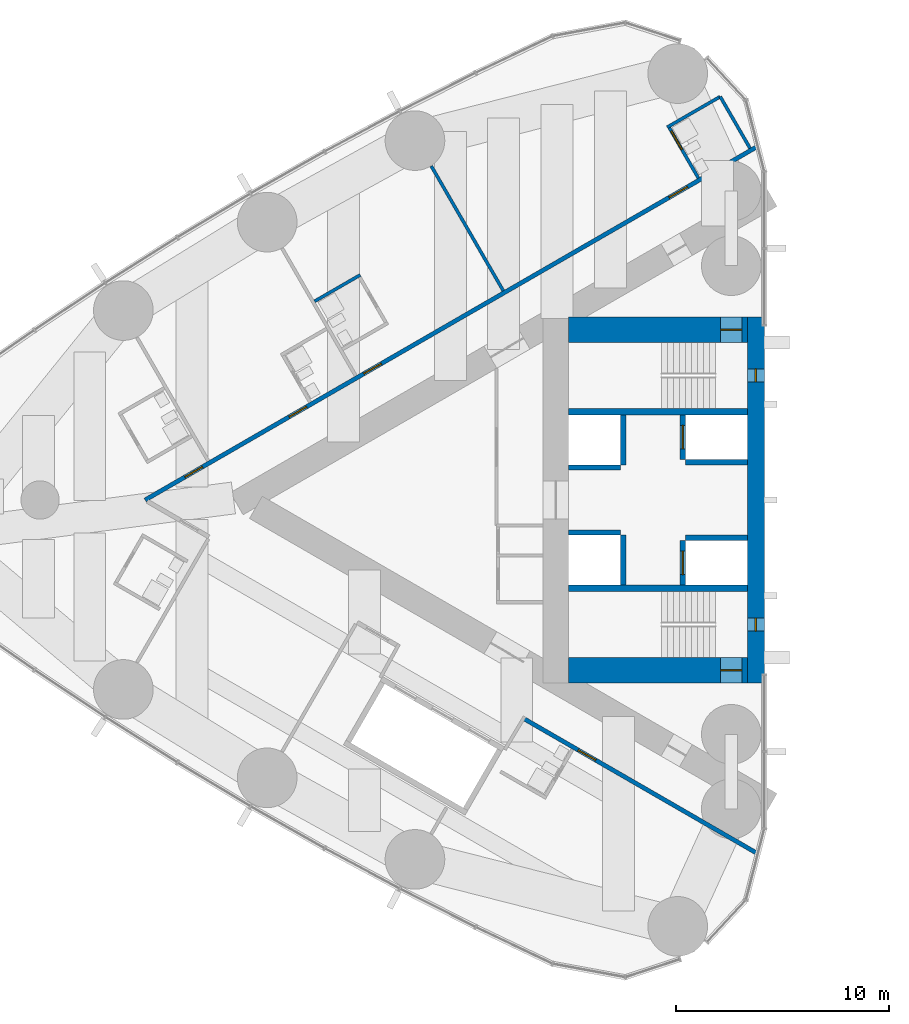
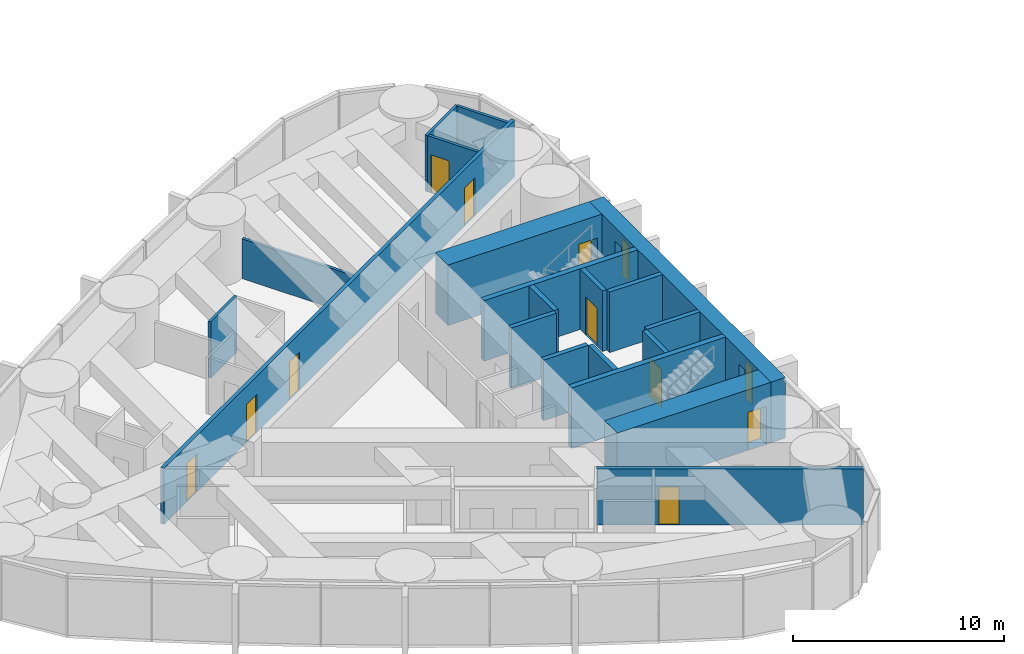
# One storey, part 13 of 19: 20 walls, 10 doors, 2 windows, 12 openings.
"""IFC4 building model written with IfcOpenShell, lengths in metres."""

from ifc_helpers import new_model, si_unit, direction, frame, frame_2d, origin, place, context, subcontext, project, spatial, rectangle, extrude, material, layer, layer_set, type_object, element, fill, save


model = new_model("IFC4")

# Units and contexts
model_context = context("Model", 3, precision=1e-05, world=origin(), true_north=direction((0.0, 1.0)))
body_context = subcontext(model_context, "Body", "Model", "MODEL_VIEW")
ifc_project = project(units=[si_unit("LENGTHUNIT", "METRE"), si_unit("AREAUNIT", "SQUARE_METRE"), si_unit("VOLUMEUNIT", "CUBIC_METRE"), si_unit("PLANEANGLEUNIT", "RADIAN"), si_unit("MASSUNIT", "GRAM", prefix="KILO")], contexts=[model_context])

# Site, building, storey
site_placement = place(None, origin())
site = spatial("IfcSite", under=ifc_project, at=site_placement, CompositionType="ELEMENT")
building_placement = place(site_placement, origin())
building = spatial("IfcBuilding", under=site, at=building_placement, Name="Lancet Gate Hotel", CompositionType="ELEMENT")
storey_placement = place(building_placement, frame((0.0, 0.0, 170.300048828125)))
storey = spatial("IfcBuildingStorey", under=building, at=storey_placement, Name="L45", CompositionType="ELEMENT", Elevation=170.300048828125)

# Wall
ifc_material_1 = material(Name="Moisture resistant board partition")
ifc_layer_1 = layer(ifc_material_1, 0.14990234375)
ifc_layer_set_1 = layer_set([ifc_layer_1], Name="Bathroom wall 150")
wall_type_1 = type_object("IfcWallType", Name="Bathroom wall 150", PredefinedType="PARTITIONING", material=ifc_layer_set_1)
wall_1_placement = place(storey_placement, frame((-29.56982421875, 18.936279296875, 0.0), z_axis=(0.0, 0.0, 1.0), x_axis=(-0.866018712932, -0.500011588718, 0.0)))
element("IfcWall", 1, at=wall_1_placement, inside=storey, type_object=wall_type_1, Name="T1 bathroom wall 150 L45", PredefinedType="PARTITIONING", context=body_context, shape_type="SweptSolid", body=[
    extrude(rectangle(XDim=2.875, YDim=0.14990234375, at=frame_2d((1.4375, 0.0))), origin(), (0.0, 0.0, 1.0), 3.25),
])

# Wall, opening, door
wall_2_placement = place(storey_placement, frame((-30.5947265625, 15.111328125, 0.0), z_axis=(0.0, 0.0, 1.0), x_axis=(-0.49998411664, 0.866034573852, 0.0)))
wall_2 = element("IfcWall", 2, at=wall_2_placement, inside=storey, type_object=wall_type_1, Name="T1 bathroom wall 150 L45", PredefinedType="PARTITIONING", context=body_context, shape_type="SweptSolid", body=[
    extrude(rectangle(XDim=2.7998046875, YDim=0.14990234375, at=frame_2d((1.39990234375, 0.0))), origin(), (0.0, 0.0, 1.0), 3.25),
])
opening_1_placement = place(wall_2_placement, frame((1.550048828125, 0.0, 0.0)))
opening_1 = element("IfcOpeningElement", 3, at=opening_1_placement, cuts=wall_2, Name="Opening 4501-B", PredefinedType="OPENING", context=body_context, shape_type="SweptSolid", body=[
    extrude(rectangle(XDim=1.0, YDim=2.199951171875, at=frame_2d((0.5, 1.10009765625))), frame((0.0, 0.0849609375, 0.0), z_axis=(0.0, -1.0, 0.0), x_axis=(1.0, 0.0, 0.0)), (0.0, 0.0, 1.0), 0.169921875),
])
ifc_material_2 = material(Name="Timber door set", Category="wood")
door_type_1 = type_object("IfcDoorType", Name="Accessible en-suite door 1000", OperationType="SINGLE_SWING_RIGHT", PredefinedType="DOOR", material=ifc_material_2)
door_1_placement = place(opening_1_placement, origin())
door_1 = element("IfcDoor", 4, at=door_1_placement, inside=storey, type_object=door_type_1, Name="4501-B", OperationType="SINGLE_SWING_RIGHT", OverallHeight=2.199951171875, OverallWidth=1.0, PredefinedType="DOOR", context=body_context, shape_type="SweptSolid", body=[
    extrude(rectangle(XDim=1.0, YDim=2.199951171875, at=frame_2d((0.5, 1.10009765625))), frame((0.0, 0.02490234375, 0.0), z_axis=(0.0, -1.0, 0.0), x_axis=(1.0, 0.0, 0.0)), (0.0, 0.0, 1.0), 0.050048828125),
])
fill(opening_1, door_1)

# Walls
wall_3_placement = place(storey_placement, frame((-28.169921875, 16.51123046875, 0.0), z_axis=(0.0, 0.0, 1.0), x_axis=(-0.49994636267, 0.866056369097, 0.0)))
element("IfcWall", 5, at=wall_3_placement, inside=storey, type_object=wall_type_1, Name="T1 bathroom wall 150 L45", PredefinedType="PARTITIONING", context=body_context, shape_type="SweptSolid", body=[
    extrude(rectangle(XDim=2.800048828125, YDim=0.14990234375, at=frame_2d((1.39990234375, 0.0))), origin(), (0.0, 0.0, 1.0), 3.25),
])
wall_4_placement = place(storey_placement, frame((-46.470458984375, 10.564208984375, 0.0), z_axis=(0.0, 0.0, 1.0), x_axis=(-0.866006523861, -0.500032699561, 0.0)))
element("IfcWall", 6, at=wall_4_placement, inside=storey, type_object=wall_type_1, Name="T1 bathroom wall 150 L45", PredefinedType="PARTITIONING", context=body_context, shape_type="SweptSolid", body=[
    extrude(rectangle(XDim=2.474853515625, YDim=0.14990234375, at=frame_2d((1.2373046875, 0.0))), origin(), (0.0, 0.0, 1.0), 3.25),
])

# Wall, opening, door
ifc_material_3 = material(Name="Concrete C70/85", Category="concrete")
ifc_layer_2 = layer(ifc_material_3, 1.199951171875)
ifc_layer_set_2 = layer_set([ifc_layer_2], Name="Core wall 1200")
wall_type_2 = type_object("IfcWallType", Name="Core wall 1200", PredefinedType="SHEAR", material=ifc_layer_set_2)
wall_5_placement = place(storey_placement, frame((-28.300048828125, 8.0, 0.0), z_axis=(0.0, 0.0, 1.0), x_axis=(-1.0, 0.0, 0.0)))
wall_5 = element("IfcWall", 7, at=wall_5_placement, inside=storey, type_object=wall_type_2, Name="T1 core wall side-S L45", PredefinedType="SHEAR", context=body_context, shape_type="SweptSolid", body=[
    extrude(rectangle(XDim=8.39990234375, YDim=1.199951171875, at=frame_2d((4.199951171875, 0.0))), origin(), (0.0, 0.0, 1.0), 3.5),
])
opening_2_placement = place(wall_5_placement, frame((0.25, 0.0, 0.0)))
opening_2 = element("IfcOpeningElement", 8, at=opening_2_placement, cuts=wall_5, Name="Opening T1-L45-ST1", PredefinedType="OPENING", context=body_context, shape_type="SweptSolid", body=[
    extrude(rectangle(XDim=1.0, YDim=2.199951171875, at=frame_2d((0.5, 1.10009765625))), frame((0.0, 0.60986328125, 0.0), z_axis=(0.0, -1.0, 0.0), x_axis=(1.0, 0.0, 0.0)), (0.0, 0.0, 1.0), 1.219970703125),
])
ifc_material_4 = material(Name="Timber door set", Category="wood")
door_type_2 = type_object("IfcDoorType", Name="Stair door 1000", OperationType="SINGLE_SWING_RIGHT", PredefinedType="DOOR", material=ifc_material_4)
door_2_placement = place(opening_2_placement, origin())
door_2 = element("IfcDoor", 9, at=door_2_placement, inside=storey, type_object=door_type_2, Name="T1-L45-ST1", OperationType="SINGLE_SWING_RIGHT", OverallHeight=2.199951171875, OverallWidth=1.0, PredefinedType="DOOR", context=body_context, shape_type="SweptSolid", body=[
    extrude(rectangle(XDim=1.0, YDim=2.199951171875, at=frame_2d((0.5, 1.10009765625))), frame((0.0, 0.02490234375, 0.0), z_axis=(0.0, -1.0, 0.0), x_axis=(1.0, 0.0, 0.0)), (0.0, 0.0, 1.0), 0.050048828125),
])
fill(opening_2, door_2)

wall_6_placement = place(storey_placement, frame((-28.300048828125, -8.0, 0.0), z_axis=(0.0, 0.0, 1.0), x_axis=(-1.0, 0.0, 0.0)))
wall_6 = element("IfcWall", 10, at=wall_6_placement, inside=storey, type_object=wall_type_2, Name="T1 core wall side-N L45", PredefinedType="SHEAR", context=body_context, shape_type="SweptSolid", body=[
    extrude(rectangle(XDim=8.39990234375, YDim=1.199951171875, at=frame_2d((4.199951171875, 0.0))), origin(), (0.0, 0.0, 1.0), 3.5),
])
opening_3_placement = place(wall_6_placement, frame((0.25, 0.0, 0.0)))
opening_3 = element("IfcOpeningElement", 11, at=opening_3_placement, cuts=wall_6, Name="Opening T1-L45-ST2", PredefinedType="OPENING", context=body_context, shape_type="SweptSolid", body=[
    extrude(rectangle(XDim=1.0, YDim=2.199951171875, at=frame_2d((0.5, 1.10009765625))), frame((0.0, 0.60986328125, 0.0), z_axis=(0.0, -1.0, 0.0), x_axis=(1.0, 0.0, 0.0)), (0.0, 0.0, 1.0), 1.219970703125),
])
door_3_placement = place(opening_3_placement, origin())
door_3 = element("IfcDoor", 12, at=door_3_placement, inside=storey, type_object=door_type_2, Name="T1-L45-ST2", OperationType="SINGLE_SWING_RIGHT", OverallHeight=2.199951171875, OverallWidth=1.0, PredefinedType="DOOR", context=body_context, shape_type="SweptSolid", body=[
    extrude(rectangle(XDim=1.0, YDim=2.199951171875, at=frame_2d((0.5, 1.10009765625))), frame((0.0, 0.02490234375, 0.0), z_axis=(0.0, -1.0, 0.0), x_axis=(1.0, 0.0, 0.0)), (0.0, 0.0, 1.0), 0.050048828125),
])
fill(opening_3, door_3)

# Wall, openings, windows
ifc_material_5 = material(Name="Concrete C70/85", Category="concrete")
ifc_layer_3 = layer(ifc_material_5, 0.800048828125)
ifc_layer_set_3 = layer_set([ifc_layer_3], Name="Core wall 800")
wall_type_3 = type_object("IfcWallType", Name="Core wall 800", PredefinedType="SHEAR", material=ifc_layer_set_3)
wall_7_placement = place(storey_placement, frame((-27.89990234375, 8.60009765625, 0.0), z_axis=(0.0, 0.0, 1.0), x_axis=(0.0, -1.0, 0.0)))
wall_7 = element("IfcWall", 13, at=wall_7_placement, inside=storey, type_object=wall_type_3, Name="T1 core wall front L45", PredefinedType="SHEAR", context=body_context, shape_type="SweptSolid", body=[
    extrude(rectangle(XDim=17.2001953125, YDim=0.800048828125, at=frame_2d((8.60009765625, 0.0))), origin(), (0.0, 0.0, 1.0), 3.5),
])
opening_4_placement = place(wall_7_placement, frame((2.449951171875, 0.0, 0.60009765625)))
opening_4 = element("IfcOpeningElement", 14, at=opening_4_placement, cuts=wall_7, Name="Opening LW1", PredefinedType="OPENING", context=body_context, shape_type="SweptSolid", body=[
    extrude(rectangle(XDim=0.60009765625, YDim=2.10009765625, at=frame_2d((0.300048828125, 1.050048828125))), frame((0.0, 0.409912109375, 0.0), z_axis=(0.0, -1.0, 0.0), x_axis=(1.0, 0.0, 0.0)), (0.0, 0.0, 1.0), 0.820068359375),
])
opening_5_placement = place(wall_7_placement, frame((14.14990234375, 0.0, 0.60009765625)))
opening_5 = element("IfcOpeningElement", 15, at=opening_5_placement, cuts=wall_7, Name="Opening LW1", PredefinedType="OPENING", context=body_context, shape_type="SweptSolid", body=[
    extrude(rectangle(XDim=0.60009765625, YDim=2.10009765625, at=frame_2d((0.300048828125, 1.050048828125))), frame((0.0, 0.409912109375, 0.0), z_axis=(0.0, -1.0, 0.0), x_axis=(1.0, 0.0, 0.0)), (0.0, 0.0, 1.0), 0.820068359375),
])
ifc_material_6 = material(Name="Fire-resisting glazed steel window", Category="steel")
window_type = type_object("IfcWindowType", Name="Lancet window 600x2100", PartitioningType="SINGLE_PANEL", PredefinedType="WINDOW", material=ifc_material_6)
window_1_placement = place(opening_4_placement, origin())
window_1 = element("IfcWindow", 16, at=window_1_placement, inside=storey, type_object=window_type, Name="T1 stair window S L45", OverallHeight=2.10009765625, OverallWidth=0.60009765625, PartitioningType="SINGLE_PANEL", PredefinedType="WINDOW", context=body_context, shape_type="SweptSolid", body=[
    extrude(rectangle(XDim=0.60009765625, YDim=2.10009765625, at=frame_2d((0.300048828125, 1.050048828125))), frame((0.0, 0.030029296875, 0.0), z_axis=(0.0, -1.0, 0.0), x_axis=(1.0, 0.0, 0.0)), (0.0, 0.0, 1.0), 0.06005859375),
])
fill(opening_4, window_1)
window_2_placement = place(opening_5_placement, origin())
window_2 = element("IfcWindow", 17, at=window_2_placement, inside=storey, type_object=window_type, Name="T1 stair window N L45", OverallHeight=2.10009765625, OverallWidth=0.60009765625, PartitioningType="SINGLE_PANEL", PredefinedType="WINDOW", context=body_context, shape_type="SweptSolid", body=[
    extrude(rectangle(XDim=0.60009765625, YDim=2.10009765625, at=frame_2d((0.300048828125, 1.050048828125))), frame((0.0, 0.030029296875, 0.0), z_axis=(0.0, -1.0, 0.0), x_axis=(1.0, 0.0, 0.0)), (0.0, 0.0, 1.0), 0.06005859375),
])
fill(opening_5, window_2)

# Wall, openings, doors
ifc_material_7 = material(Name="Gypsum board partition")
ifc_layer_4 = layer(ifc_material_7, 0.199951171875)
ifc_layer_set_4 = layer_set([ifc_layer_4], Name="Corridor wall 200")
wall_type_4 = type_object("IfcWallType", Name="Corridor wall 200", PredefinedType="PARTITIONING", material=ifc_layer_set_4)
wall_8_placement = place(storey_placement, frame((-27.860107421875, 16.57470703125, 0.0), z_axis=(0.0, 0.0, 1.0), x_axis=(-0.866025533911, -0.499999774615, 0.0)))
wall_8 = element("IfcWall", 18, at=wall_8_placement, inside=storey, type_object=wall_type_4, Name="T1 corridor wall 200 L45", PredefinedType="PARTITIONING", context=body_context, shape_type="SweptSolid", body=[
    extrude(rectangle(XDim=33.1494140625, YDim=0.199951171875, at=frame_2d((16.57470703125, 0.0))), origin(), (0.0, 0.0, 1.0), 3.25),
])
opening_6_placement = place(wall_8_placement, frame((3.75, 0.0, 0.0)))
opening_6 = element("IfcOpeningElement", 19, at=opening_6_placement, cuts=wall_8, Name="Opening 4501-E", PredefinedType="OPENING", context=body_context, shape_type="SweptSolid", body=[
    extrude(rectangle(XDim=1.0, YDim=2.199951171875, at=frame_2d((0.5, 1.10009765625))), frame((0.0, 0.10986328125, 0.0), z_axis=(0.0, -1.0, 0.0), x_axis=(1.0, 0.0, 0.0)), (0.0, 0.0, 1.0), 0.219970703125),
])
opening_7_placement = place(wall_8_placement, frame((20.347412109375, 0.0, 0.0)))
opening_7 = element("IfcOpeningElement", 20, at=opening_7_placement, cuts=wall_8, Name="Opening 4502-E", PredefinedType="OPENING", context=body_context, shape_type="SweptSolid", body=[
    extrude(rectangle(XDim=0.949951171875, YDim=2.199951171875, at=frame_2d((0.47509765625, 1.10009765625))), frame((0.0, 0.10986328125, 0.0), z_axis=(0.0, -1.0, 0.0), x_axis=(1.0, 0.0, 0.0)), (0.0, 0.0, 1.0), 0.219970703125),
])
opening_8_placement = place(wall_8_placement, frame((24.397216796875, 0.0, 0.0)))
opening_8 = element("IfcOpeningElement", 21, at=opening_8_placement, cuts=wall_8, Name="Opening 4503-E", PredefinedType="OPENING", context=body_context, shape_type="SweptSolid", body=[
    extrude(rectangle(XDim=0.949951171875, YDim=2.199951171875, at=frame_2d((0.47509765625, 1.10009765625))), frame((0.0, 0.10986328125, 0.0), z_axis=(0.0, -1.0, 0.0), x_axis=(1.0, 0.0, 0.0)), (0.0, 0.0, 1.0), 0.219970703125),
])
opening_9_placement = place(wall_8_placement, frame((30.04150390625, 0.0, 0.0)))
opening_9 = element("IfcOpeningElement", 22, at=opening_9_placement, cuts=wall_8, Name="Opening 4504-E", PredefinedType="OPENING", context=body_context, shape_type="SweptSolid", body=[
    extrude(rectangle(XDim=0.949951171875, YDim=2.199951171875, at=frame_2d((0.47509765625, 1.10009765625))), frame((0.0, 0.10986328125, 0.0), z_axis=(0.0, -1.0, 0.0), x_axis=(1.0, 0.0, 0.0)), (0.0, 0.0, 1.0), 0.219970703125),
])
ifc_material_8 = material(Name="Timber door set", Category="wood")
door_type_3 = type_object("IfcDoorType", Name="Accessible guest room door 1000", OperationType="SINGLE_SWING_LEFT", PredefinedType="DOOR", material=ifc_material_8)
door_4_placement = place(opening_6_placement, origin())
door_4 = element("IfcDoor", 23, at=door_4_placement, inside=storey, type_object=door_type_3, Name="4501-E", OperationType="SINGLE_SWING_LEFT", OverallHeight=2.199951171875, OverallWidth=1.0, PredefinedType="DOOR", context=body_context, shape_type="SweptSolid", body=[
    extrude(rectangle(XDim=1.0, YDim=2.199951171875, at=frame_2d((0.5, 1.10009765625))), frame((0.0, 0.02490234375, 0.0), z_axis=(0.0, -1.0, 0.0), x_axis=(1.0, 0.0, 0.0)), (0.0, 0.0, 1.0), 0.050048828125),
])
fill(opening_6, door_4)
ifc_material_9 = material(Name="Timber door set", Category="wood")
door_type_4 = type_object("IfcDoorType", Name="Guest room entry door 950", OperationType="SINGLE_SWING_LEFT", PredefinedType="DOOR", material=ifc_material_9)
door_5_placement = place(opening_7_placement, origin())
door_5 = element("IfcDoor", 24, at=door_5_placement, inside=storey, type_object=door_type_4, Name="4502-E", OperationType="SINGLE_SWING_LEFT", OverallHeight=2.199951171875, OverallWidth=0.949951171875, PredefinedType="DOOR", context=body_context, shape_type="SweptSolid", body=[
    extrude(rectangle(XDim=0.949951171875, YDim=2.199951171875, at=frame_2d((0.47509765625, 1.10009765625))), frame((0.0, 0.02490234375, 0.0), z_axis=(0.0, -1.0, 0.0), x_axis=(1.0, 0.0, 0.0)), (0.0, 0.0, 1.0), 0.050048828125),
])
fill(opening_7, door_5)
door_6_placement = place(opening_8_placement, origin())
door_6 = element("IfcDoor", 25, at=door_6_placement, inside=storey, type_object=door_type_4, Name="4503-E", OperationType="SINGLE_SWING_LEFT", OverallHeight=2.199951171875, OverallWidth=0.949951171875, PredefinedType="DOOR", context=body_context, shape_type="SweptSolid", body=[
    extrude(rectangle(XDim=0.949951171875, YDim=2.199951171875, at=frame_2d((0.47509765625, 1.10009765625))), frame((0.0, 0.02490234375, 0.0), z_axis=(0.0, -1.0, 0.0), x_axis=(1.0, 0.0, 0.0)), (0.0, 0.0, 1.0), 0.050048828125),
])
fill(opening_8, door_6)
door_7_placement = place(opening_9_placement, origin())
door_7 = element("IfcDoor", 26, at=door_7_placement, inside=storey, type_object=door_type_4, Name="4504-E", OperationType="SINGLE_SWING_LEFT", OverallHeight=2.199951171875, OverallWidth=0.949951171875, PredefinedType="DOOR", context=body_context, shape_type="SweptSolid", body=[
    extrude(rectangle(XDim=0.949951171875, YDim=2.199951171875, at=frame_2d((0.47509765625, 1.10009765625))), frame((0.0, 0.02490234375, 0.0), z_axis=(0.0, -1.0, 0.0), x_axis=(1.0, 0.0, 0.0)), (0.0, 0.0, 1.0), 0.050048828125),
])
fill(opening_9, door_7)

# Wall, opening, door
wall_9_placement = place(storey_placement, frame((-27.860107421875, -16.57470703125, 0.0), z_axis=(0.0, 0.0, 1.0), x_axis=(-0.866027756871, 0.499995924312, 0.0)))
wall_9 = element("IfcWall", 27, at=wall_9_placement, inside=storey, type_object=wall_type_4, Name="T1 corridor wall 200 L45", PredefinedType="PARTITIONING", context=body_context, shape_type="SweptSolid", body=[
    extrude(rectangle(XDim=12.6220703125, YDim=0.199951171875, at=frame_2d((6.31103515625, 0.0))), origin(), (0.0, 0.0, 1.0), 3.25),
])
opening_10_placement = place(wall_9_placement, frame((8.72216796875, 0.0, 0.0)))
opening_10 = element("IfcOpeningElement", 28, at=opening_10_placement, cuts=wall_9, Name="Opening 4508-E", PredefinedType="OPENING", context=body_context, shape_type="SweptSolid", body=[
    extrude(rectangle(XDim=0.949951171875, YDim=2.199951171875, at=frame_2d((0.47509765625, 1.10009765625))), frame((0.0, 0.10986328125, 0.0), z_axis=(0.0, -1.0, 0.0), x_axis=(1.0, 0.0, 0.0)), (0.0, 0.0, 1.0), 0.219970703125),
])
door_8_placement = place(opening_10_placement, origin())
door_8 = element("IfcDoor", 29, at=door_8_placement, inside=storey, type_object=door_type_4, Name="4508-E", OperationType="SINGLE_SWING_LEFT", OverallHeight=2.199951171875, OverallWidth=0.949951171875, PredefinedType="DOOR", context=body_context, shape_type="SweptSolid", body=[
    extrude(rectangle(XDim=0.949951171875, YDim=2.199951171875, at=frame_2d((0.47509765625, 1.10009765625))), frame((0.0, 0.02490234375, 0.0), z_axis=(0.0, -1.0, 0.0), x_axis=(1.0, 0.0, 0.0)), (0.0, 0.0, 1.0), 0.050048828125),
])
fill(opening_10, door_8)

ifc_material_10 = material(Name="Concrete C50/60", Category="concrete")
ifc_layer_5 = layer(ifc_material_10, 0.25)
ifc_layer_set_5 = layer_set([ifc_layer_5], Name="Lift shaft wall 250")
wall_type_5 = type_object("IfcWallType", Name="Lift shaft wall 250", PredefinedType="SHEAR", material=ifc_layer_set_5)
wall_10_placement = place(storey_placement, frame((-31.324951171875, 4.0, 0.0), z_axis=(0.0, 0.0, 1.0), x_axis=(0.0, -1.0, 0.0)))
wall_10 = element("IfcWall", 30, at=wall_10_placement, inside=storey, type_object=wall_type_5, Name="T1 core wall row1-S L45", PredefinedType="SHEAR", context=body_context, shape_type="SweptSolid", body=[
    extrude(rectangle(XDim=2.10009765625, YDim=0.25, at=frame_2d((1.050048828125, 0.0))), origin(), (0.0, 0.0, 1.0), 3.5),
])
opening_11_placement = place(wall_10_placement, frame((0.5, 0.0, 0.0)))
opening_11 = element("IfcOpeningElement", 31, at=opening_11_placement, cuts=wall_10, Name="Opening T1-SL1-L45", PredefinedType="OPENING", context=body_context, shape_type="SweptSolid", body=[
    extrude(rectangle(XDim=1.10009765625, YDim=2.199951171875, at=frame_2d((0.550048828125, 1.10009765625))), frame((0.0, 0.135009765625, 0.0), z_axis=(0.0, -1.0, 0.0), x_axis=(1.0, 0.0, 0.0)), (0.0, 0.0, 1.0), 0.27001953125),
])
ifc_material_11 = material(Name="Timber door set", Category="wood")
door_type_5 = type_object("IfcDoorType", Name="Service lift landing door 1100", OperationType="SLIDING_TO_LEFT", PredefinedType="USERDEFINED", material=ifc_material_11)
door_9_placement = place(opening_11_placement, origin())
door_9 = element("IfcDoor", 32, at=door_9_placement, inside=storey, type_object=door_type_5, Name="T1-SL1-L45", ObjectType="LIFT LANDING DOOR", OperationType="SLIDING_TO_LEFT", OverallHeight=2.199951171875, OverallWidth=1.10009765625, PredefinedType="USERDEFINED", context=body_context, shape_type="SweptSolid", body=[
    extrude(rectangle(XDim=1.10009765625, YDim=2.199951171875, at=frame_2d((0.550048828125, 1.10009765625))), frame((0.0, 0.02490234375, 0.0), z_axis=(0.0, -1.0, 0.0), x_axis=(1.0, 0.0, 0.0)), (0.0, 0.0, 1.0), 0.050048828125),
])
fill(opening_11, door_9)

# Walls
wall_11_placement = place(storey_placement, frame((-34.125, 4.0, 0.0), z_axis=(0.0, 0.0, 1.0), x_axis=(0.0, -1.0, 0.0)))
element("IfcWall", 33, at=wall_11_placement, inside=storey, type_object=wall_type_5, Name="T1 core wall row2-S L45", PredefinedType="SHEAR", context=body_context, shape_type="SweptSolid", body=[
    extrude(rectangle(XDim=2.35009765625, YDim=0.25, at=frame_2d((1.175048828125, 0.0))), origin(), (0.0, 0.0, 1.0), 3.5),
])
wall_12_placement = place(storey_placement, frame((-28.300048828125, 1.77490234375, 0.0), z_axis=(0.0, 0.0, 1.0), x_axis=(-1.0, 0.0, 0.0)))
element("IfcWall", 34, at=wall_12_placement, inside=storey, type_object=wall_type_5, Name="T1 core wall pass1-S L45", PredefinedType="SHEAR", context=body_context, shape_type="SweptSolid", body=[
    extrude(rectangle(XDim=2.89990234375, YDim=0.25, at=frame_2d((1.449951171875, 0.0))), origin(), (0.0, 0.0, 1.0), 3.5),
])
wall_13_placement = place(storey_placement, frame((-34.25, 1.52490234375, 0.0), z_axis=(0.0, 0.0, 1.0), x_axis=(-1.0, 0.0, 0.0)))
element("IfcWall", 35, at=wall_13_placement, inside=storey, type_object=wall_type_5, Name="T1 core wall pass2-S L45", PredefinedType="SHEAR", context=body_context, shape_type="SweptSolid", body=[
    extrude(rectangle(XDim=2.449951171875, YDim=0.25, at=frame_2d((1.22509765625, 0.0))), origin(), (0.0, 0.0, 1.0), 3.5),
])

# Wall, opening, door
wall_14_placement = place(storey_placement, frame((-31.324951171875, -1.89990234375, 0.0), z_axis=(0.0, 0.0, 1.0), x_axis=(0.0, -1.0, 0.0)))
wall_14 = element("IfcWall", 36, at=wall_14_placement, inside=storey, type_object=wall_type_5, Name="T1 core wall row1-N L45", PredefinedType="SHEAR", context=body_context, shape_type="SweptSolid", body=[
    extrude(rectangle(XDim=2.10009765625, YDim=0.25, at=frame_2d((1.050048828125, 0.0))), origin(), (0.0, 0.0, 1.0), 3.5),
])
opening_12_placement = place(wall_14_placement, frame((0.5, 0.0, 0.0)))
opening_12 = element("IfcOpeningElement", 37, at=opening_12_placement, cuts=wall_14, Name="Opening T1-FL2-L45", PredefinedType="OPENING", context=body_context, shape_type="SweptSolid", body=[
    extrude(rectangle(XDim=1.10009765625, YDim=2.199951171875, at=frame_2d((0.550048828125, 1.10009765625))), frame((0.0, 0.135009765625, 0.0), z_axis=(0.0, -1.0, 0.0), x_axis=(1.0, 0.0, 0.0)), (0.0, 0.0, 1.0), 0.27001953125),
])
ifc_material_12 = material(Name="Steel door set", Category="steel")
door_type_6 = type_object("IfcDoorType", Name="Firefighting lift landing door 1100", OperationType="SLIDING_TO_LEFT", PredefinedType="USERDEFINED", material=ifc_material_12)
door_10_placement = place(opening_12_placement, origin())
door_10 = element("IfcDoor", 38, at=door_10_placement, inside=storey, type_object=door_type_6, Name="T1-FL2-L45", ObjectType="LIFT LANDING DOOR", OperationType="SLIDING_TO_LEFT", OverallHeight=2.199951171875, OverallWidth=1.10009765625, PredefinedType="USERDEFINED", context=body_context, shape_type="SweptSolid", body=[
    extrude(rectangle(XDim=1.10009765625, YDim=2.199951171875, at=frame_2d((0.550048828125, 1.10009765625))), frame((0.0, 0.02490234375, 0.0), z_axis=(0.0, -1.0, 0.0), x_axis=(1.0, 0.0, 0.0)), (0.0, 0.0, 1.0), 0.050048828125),
])
fill(opening_12, door_10)

# Walls
wall_15_placement = place(storey_placement, frame((-34.125, -1.64990234375, 0.0), z_axis=(0.0, 0.0, 1.0), x_axis=(0.0, -1.0, 0.0)))
element("IfcWall", 39, at=wall_15_placement, inside=storey, type_object=wall_type_5, Name="T1 core wall row2-N L45", PredefinedType="SHEAR", context=body_context, shape_type="SweptSolid", body=[
    extrude(rectangle(XDim=2.35009765625, YDim=0.25, at=frame_2d((1.175048828125, 0.0))), origin(), (0.0, 0.0, 1.0), 3.5),
])
wall_16_placement = place(storey_placement, frame((-28.300048828125, -1.77490234375, 0.0), z_axis=(0.0, 0.0, 1.0), x_axis=(-1.0, 0.0, 0.0)))
element("IfcWall", 40, at=wall_16_placement, inside=storey, type_object=wall_type_5, Name="T1 core wall pass1-N L45", PredefinedType="SHEAR", context=body_context, shape_type="SweptSolid", body=[
    extrude(rectangle(XDim=2.89990234375, YDim=0.25, at=frame_2d((1.449951171875, 0.0))), origin(), (0.0, 0.0, 1.0), 3.5),
])
wall_17_placement = place(storey_placement, frame((-34.25, -1.52490234375, 0.0), z_axis=(0.0, 0.0, 1.0), x_axis=(-1.0, 0.0, 0.0)))
element("IfcWall", 41, at=wall_17_placement, inside=storey, type_object=wall_type_5, Name="T1 core wall pass2-N L45", PredefinedType="SHEAR", context=body_context, shape_type="SweptSolid", body=[
    extrude(rectangle(XDim=2.449951171875, YDim=0.25, at=frame_2d((1.22509765625, 0.0))), origin(), (0.0, 0.0, 1.0), 3.5),
])
ifc_material_13 = material(Name="Gypsum board partition")
ifc_layer_6 = layer(ifc_material_13, 0.14990234375)
ifc_layer_set_6 = layer_set([ifc_layer_6], Name="Party wall 150")
wall_type_6 = type_object("IfcWallType", Name="Party wall 150", PredefinedType="PARTITIONING", material=ifc_layer_set_6)
wall_18_placement = place(storey_placement, frame((-39.75439453125, 9.822998046875, 0.0), z_axis=(0.0, 0.0, 1.0), x_axis=(-0.499997670926, 0.866026748472, 0.0)))
element("IfcWall", 42, at=wall_18_placement, inside=storey, type_object=wall_type_6, Name="T1 party wall 150 L45", PredefinedType="PARTITIONING", context=body_context, shape_type="SweptSolid", body=[
    extrude(rectangle(XDim=6.75732421875, YDim=0.14990234375, at=frame_2d((3.378662109375, 0.0))), origin(), (0.0, 0.0, 1.0), 2.300048828125),
])
ifc_material_14 = material(Name="Concrete C50/60", Category="concrete")
ifc_layer_7 = layer(ifc_material_14, 0.300048828125)
ifc_layer_set_7 = layer_set([ifc_layer_7], Name="Stair enclosure wall 300")
wall_type_7 = type_object("IfcWallType", Name="Stair enclosure wall 300", PredefinedType="SHEAR", material=ifc_layer_set_7)
for number, where, z_axis, x_axis, name in (
    (43, (-28.300048828125, 4.14990234375, 0.0), (0.0, 0.0, 1.0), (-1.0, 0.0, 0.0), "T1 core wall stair-S L45"),
    (44, (-28.300048828125, -4.14990234375, 0.0), (0.0, 0.0, 1.0), (-1.0, 0.0, 0.0), "T1 core wall stair-N L45"),
):
    element("IfcWall", number, at=place(storey_placement, frame(where, z_axis=z_axis, x_axis=x_axis)), inside=storey, type_object=wall_type_7, Name=name, PredefinedType="SHEAR", context=body_context, shape_type="SweptSolid", body=[
        extrude(rectangle(XDim=8.39990234375, YDim=0.300048828125, at=frame_2d((4.199951171875, 0.0))), origin(), (0.0, 0.0, 1.0), 3.5),
    ])

save(model, "model.ifc")
